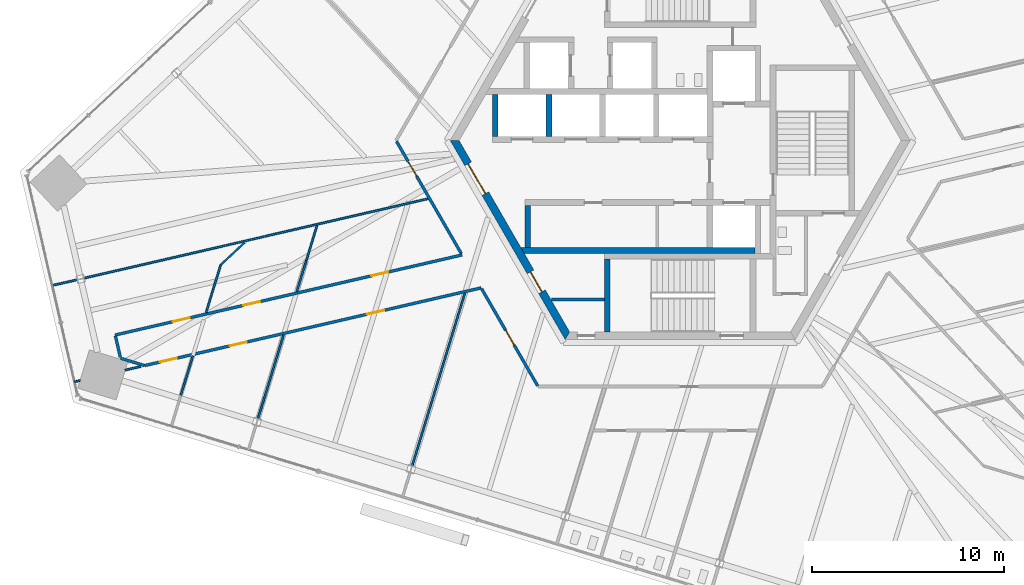
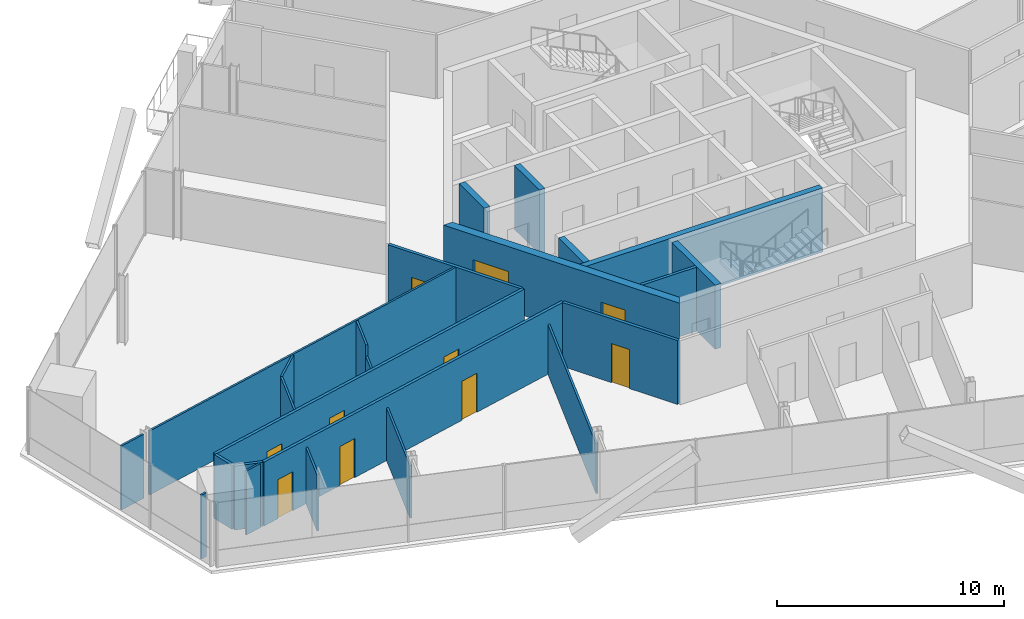
# One storey, part 11 of 19: 24 walls, 10 doors, 10 openings.
"""IFC4 building model written with IfcOpenShell, lengths in metres."""

import ifcopenshell
import ifcopenshell.guid

model = None  # the IFC model being written
_history = None  # IfcOwnerHistory: only IFC2X3 demands one
_inside = {}  # id of a spatial element -> (the spatial element, [elements in it])
_under = {}  # id of a project, library or spatial element -> (it, [spatial elements below it])
_declared = {}  # id of a project -> (the project, [libraries it declares])
_typed = {}  # id of a type object -> (the type object, [elements of that type])
_made_of = {}  # id of a material, layer set ... -> (it, [elements and type objects made of it])


def new_model(schema):
    """Start an empty IFC model of exactly this schema.

    Asked for "IFC4X3", IfcOpenShell would pick the latest addendum, in which some entities
    have other attributes; the version numbers below select the first issue.
    IFC2X3 requires an IfcOwnerHistory on every rooted entity: one is made here for all.
    """
    global model, _history
    if schema == "IFC4X3":
        model = ifcopenshell.file(schema_version=(4, 3, 0, 0))
    else:
        model = ifcopenshell.file(schema=schema)
    _inside.clear()
    _under.clear()
    _declared.clear()
    _typed.clear()
    _made_of.clear()
    _history = None
    if model.schema == "IFC2X3":
        org = make("IfcOrganization", Name="unknown")
        user = make(
            "IfcPersonAndOrganization",
            ThePerson=make("IfcPerson", FamilyName="unknown"),
            TheOrganization=org,
        )
        app = make(
            "IfcApplication",
            ApplicationDeveloper=org,
            Version="unknown",
            ApplicationFullName="unknown",
            ApplicationIdentifier="unknown",
        )
        _history = make(
            "IfcOwnerHistory",
            OwningUser=user,
            OwningApplication=app,
            ChangeAction="ADDED",
            CreationDate=0,
        )
    return model


def make(cls, **values):
    """One entity of the class cls with the attributes given. An attribute that is None is left unset."""
    return model.create_entity(
        cls, **{name: value for name, value in values.items() if value is not None}
    )


def rooted(cls, **values):
    """An entity with a GlobalId (a new one), such as an element, a storey or a relation."""
    return make(cls, GlobalId=ifcopenshell.guid.new(), OwnerHistory=_history, **values)


def si_unit(unit_type, name, prefix=None):
    """IfcSIUnit, for example si_unit("LENGTHUNIT", "METRE", prefix="MILLI")."""
    return make("IfcSIUnit", UnitType=unit_type, Prefix=prefix, Name=name)


def assignment(units):
    """IfcUnitAssignment: the units of a project."""
    return None if units is None else make("IfcUnitAssignment", Units=units)


def point(xyz):
    """IfcCartesianPoint."""
    return None if xyz is None else make("IfcCartesianPoint", Coordinates=xyz)


def direction(xyz):
    """IfcDirection."""
    return None if xyz is None else make("IfcDirection", DirectionRatios=xyz)


def frame(location, z_axis=None, x_axis=None):
    """IfcAxis2Placement3D, a coordinate frame: its origin and axes. An axis left out is left unset."""
    return make(
        "IfcAxis2Placement3D",
        Location=point(location),
        Axis=direction(z_axis),
        RefDirection=direction(x_axis),
    )


def frame_2d(location, x_axis=None):
    """IfcAxis2Placement2D, a coordinate frame in the plane: its origin and x axis."""
    return make(
        "IfcAxis2Placement2D", Location=point(location), RefDirection=direction(x_axis)
    )


def origin():
    """The frame at (0, 0, 0) with its axes left unset."""
    return frame((0.0, 0.0, 0.0))


def place(relative_to, where):
    """IfcLocalPlacement: puts the frame where relative to a parent placement (None: the world)."""
    return make(
        "IfcLocalPlacement", PlacementRelTo=relative_to, RelativePlacement=where
    )


def context(
    kind, dimensions, precision=None, world=None, true_north=None, identifier=None
):
    """IfcGeometricRepresentationContext, for example the 3D "Model" context."""
    return make(
        "IfcGeometricRepresentationContext",
        ContextIdentifier=identifier,
        ContextType=kind,
        CoordinateSpaceDimension=dimensions,
        Precision=precision,
        WorldCoordinateSystem=world,
        TrueNorth=true_north,
    )


def subcontext(parent, identifier, kind, view, scale=None):
    """IfcGeometricRepresentationSubContext, for example "Body" below "Model"."""
    return make(
        "IfcGeometricRepresentationSubContext",
        ContextIdentifier=identifier,
        ContextType=kind,
        ParentContext=parent,
        TargetScale=scale,
        TargetView=view,
    )


def project(units=None, contexts=None):
    """IfcProject with its units and contexts."""
    return rooted(
        "IfcProject",
        Name="project",
        RepresentationContexts=contexts,
        UnitsInContext=assignment(units),
    )


def spatial(cls, under=None, at=None, **own):
    """A site, building, storey or space (cls), placed at a placement, below another one or the project."""
    s = rooted(cls, ObjectPlacement=at, **own)
    if under is not None:
        _under.setdefault(under.id(), (under, []))[1].append(s)
    return s


def polyline(points):
    """IfcPolyline through the points."""
    return make("IfcPolyline", Points=[point(p) for p in points])


def profile(cls, at=None, kind="AREA", **sizes):
    """A parametric profile (cls). Its sizes go by their IFC names, for example OverallWidth=200.0."""
    return make(cls, ProfileType=kind, Position=at, **sizes)


def rectangle(**sizes):
    """IfcRectangleProfileDef."""
    return profile("IfcRectangleProfileDef", **sizes)


def outline(outer, holes=None, kind="AREA"):
    """IfcArbitraryClosedProfileDef: a profile drawn as a closed curve; with holes, ...WithVoids."""
    if holes is None:
        return make("IfcArbitraryClosedProfileDef", ProfileType=kind, OuterCurve=outer)
    return make(
        "IfcArbitraryProfileDefWithVoids",
        ProfileType=kind,
        OuterCurve=outer,
        InnerCurves=holes,
    )


def extrude(swept, where, along, depth):
    """IfcExtrudedAreaSolid: the profile swept, set in the frame where, extruded along a direction by depth."""
    return make(
        "IfcExtrudedAreaSolid",
        SweptArea=swept,
        Position=where,
        ExtrudedDirection=direction(along),
        Depth=depth,
    )


def shape(context_of_items, identifier, shape_type, items):
    """IfcShapeRepresentation: the items that make up one representation, for example the "Body"."""
    return make(
        "IfcShapeRepresentation",
        ContextOfItems=context_of_items,
        RepresentationIdentifier=identifier,
        RepresentationType=shape_type,
        Items=items,
    )


def source(mapping_origin, context_of_items, identifier, shape_type, items):
    """IfcRepresentationMap: a shape defined once, which mapped items show again and again."""
    return make(
        "IfcRepresentationMap",
        MappingOrigin=mapping_origin,
        MappedRepresentation=shape(context_of_items, identifier, shape_type, items),
    )


def transform(
    local_origin,
    x_axis=None,
    y_axis=None,
    z_axis=None,
    scale=None,
    scale2=None,
    scale3=None,
    uniform=True,
):
    """IfcCartesianTransformationOperator3D, or its non-uniform kind. x_axis, y_axis, z_axis: its Axis1, 2, 3."""
    if uniform:
        return make(
            "IfcCartesianTransformationOperator3D",
            Axis1=direction(x_axis),
            Axis2=direction(y_axis),
            LocalOrigin=point(local_origin),
            Scale=scale,
            Axis3=direction(z_axis),
        )
    return make(
        "IfcCartesianTransformationOperator3DnonUniform",
        Axis1=direction(x_axis),
        Axis2=direction(y_axis),
        LocalOrigin=point(local_origin),
        Scale=scale,
        Axis3=direction(z_axis),
        Scale2=scale2,
        Scale3=scale3,
    )


def mapped(mapping_source, mapping_target):
    """IfcMappedItem: shows the shape of a source again, moved by a transform."""
    return make(
        "IfcMappedItem", MappingSource=mapping_source, MappingTarget=mapping_target
    )


def material(Name=None, Category=None):
    """IfcMaterial."""
    return make("IfcMaterial", Name=Name, Category=Category)


def layer(
    of_material, thickness, ventilated=None, Name=None, Category=None, Priority=None
):
    """IfcMaterialLayer: one layer of a wall or slab, of a material (None: an air gap)."""
    return make(
        "IfcMaterialLayer",
        Material=of_material,
        LayerThickness=thickness,
        IsVentilated=ventilated,
        Name=Name,
        Category=Category,
        Priority=Priority,
    )


def layer_set(layers, Name=None):
    """IfcMaterialLayerSet."""
    return make("IfcMaterialLayerSet", MaterialLayers=layers, LayerSetName=Name)


def made_of(thing, what):
    """Note that an element or type object is made of a material, layer set ...; save() writes the relation."""
    if what is not None:
        _made_of.setdefault(what.id(), (what, []))[1].append(thing)
    return thing


def type_object(cls, material=None, **own):
    """A type object (cls), such as IfcWallType, which elements share."""
    return made_of(rooted(cls, **own), material)


def element(
    cls,
    number,
    at=None,
    inside=None,
    cuts=None,
    type_object=None,
    material=None,
    context=None,
    identifier="Body",
    shape_type=None,
    held_by="IfcProductDefinitionShape",
    body=None,
    shapes=None,
    **own,
):
    """One element of the class cls, such as IfcWall. Its Tag is "e" and its number.

    at: its placement. inside: the storey or other place that contains it. cuts: it is an
    opening in that element (IfcRelVoidsElement). A single representation is given by context,
    identifier, shape_type and body (its items); several are given by shapes. held_by: the class
    of the entity that holds the representations. save() writes the other relations.
    """
    e = rooted(cls, Tag="e%d" % number, ObjectPlacement=at, **own)
    if body is not None:
        shapes = [shape(context, identifier, shape_type, body)]
    if shapes is not None:
        e.Representation = make(held_by, Representations=shapes)
    if inside is not None:
        _inside.setdefault(inside.id(), (inside, []))[1].append(e)
    if cuts is not None:
        rooted(
            "IfcRelVoidsElement", RelatingBuildingElement=cuts, RelatedOpeningElement=e
        )
    if type_object is not None:
        _typed.setdefault(type_object.id(), (type_object, []))[1].append(e)
    return made_of(e, material)


def fill(opening, filler):
    """IfcRelFillsElement: the door or window that sits in an opening."""
    return rooted(
        "IfcRelFillsElement",
        RelatingOpeningElement=opening,
        RelatedBuildingElement=filler,
    )


def aggregate(whole, parts):
    """IfcRelAggregates: a whole, such as a stair, and the parts it consists of."""
    return rooted("IfcRelAggregates", RelatingObject=whole, RelatedObjects=parts)


def save(model, path):
    """Write the relations noted so far, then the file.

    IfcRelAggregates (storeys below a building ...), IfcRelContainedInSpatialStructure (elements
    in a storey), IfcRelDefinesByType, IfcRelAssociatesMaterial and IfcRelDeclares: one each for
    every whole, place, type object, material and project.
    """
    for whole, parts in _under.values():
        aggregate(whole, parts)
    for where, things in _inside.values():
        rooted(
            "IfcRelContainedInSpatialStructure",
            RelatedElements=things,
            RelatingStructure=where,
        )
    for kind, things in _typed.values():
        rooted("IfcRelDefinesByType", RelatedObjects=things, RelatingType=kind)
    for what, things in _made_of.values():
        rooted("IfcRelAssociatesMaterial", RelatedObjects=things, RelatingMaterial=what)
    for by, libraries in _declared.values():
        rooted("IfcRelDeclares", RelatingContext=by, RelatedDefinitions=libraries)
    model.write(path)


model = new_model("IFC4")

# Units and contexts
model_context = context("Model", 3, precision=1e-05, world=origin(), true_north=direction((0.0, 1.0)))
body_context = subcontext(model_context, "Body", "Model", "MODEL_VIEW")
ifc_project = project(units=[si_unit("LENGTHUNIT", "METRE"), si_unit("AREAUNIT", "SQUARE_METRE"), si_unit("VOLUMEUNIT", "CUBIC_METRE"), si_unit("PLANEANGLEUNIT", "RADIAN"), si_unit("MASSUNIT", "GRAM", prefix="KILO")], contexts=[model_context])

# Site, building, storey
site_placement = place(None, origin())
site = spatial("IfcSite", under=ifc_project, at=site_placement, CompositionType="ELEMENT")
building_placement = place(site_placement, origin())
building = spatial("IfcBuilding", under=site, at=building_placement, Name="Triune Harvest Tower", CompositionType="ELEMENT")
storey_placement = place(building_placement, frame((0.0, 0.0, 109.10009765625)))
storey = spatial("IfcBuildingStorey", under=building, at=storey_placement, Name="L27", CompositionType="ELEMENT", Elevation=109.10009765625)

# Walls
ifc_material_1 = material(Name="Gypsum board on steel studs", Category="steel")
ifc_layer_1 = layer(ifc_material_1, 0.10009765625)
ifc_layer_set_1 = layer_set([ifc_layer_1], Name="Gypsum board on steel studs")
wall_type_1 = type_object("IfcWallType", Name="Partition 100 mm", PredefinedType="PARTITIONING", material=ifc_layer_set_1)
wall_1_placement = place(storey_placement, frame((-31.61083984375, -12.5908203125, 0.0), z_axis=(0.0, 0.0, 1.0), x_axis=(0.97435083199, 0.225034344489, 0.0)))
element("IfcWall", 1, at=wall_1_placement, inside=storey, type_object=wall_type_1, Name="Partition L27 034", PredefinedType="PARTITIONING", context=body_context, shape_type="SweptSolid", body=[
    extrude(rectangle(XDim=0.305908203125, YDim=0.10009765625, at=frame_2d((0.15283203125, 0.0))), origin(), (0.0, 0.0, 1.0), 3.43994140625),
])
wall_2_placement = place(storey_placement, frame((-26.067626953125, -13.3134765625, 0.0), z_axis=(0.0, 0.0, 1.0), x_axis=(0.292324630047, 0.956319146869, 0.0)))
element("IfcWall", 2, at=wall_2_placement, inside=storey, type_object=wall_type_1, Name="Partition L27 062a", PredefinedType="PARTITIONING", context=body_context, shape_type="SweptSolid", body=[
    extrude(rectangle(XDim=2.1630859375, YDim=0.10009765625, at=frame_2d((1.08154296875, 0.0))), origin(), (0.0, 0.0, 1.0), 3.023193359375),
])
wall_3_placement = place(storey_placement, frame((-24.7412109375, -8.97509765625, 0.0), z_axis=(0.0, 0.0, 1.0), x_axis=(0.292361785575, 0.956307788495, 0.0)))
element("IfcWall", 3, at=wall_3_placement, inside=storey, type_object=wall_type_1, Name="Partition L27 063", PredefinedType="PARTITIONING", context=body_context, shape_type="SweptSolid", body=[
    extrude(rectangle(XDim=2.597900390625, YDim=0.10009765625, at=frame_2d((1.298828125, 0.0))), origin(), (0.0, 0.0, 1.0), 3.43994140625),
])

# Wall, openings, doors
ifc_material_2 = material(Name="Concrete 70 MPa", Category="concrete")
ifc_layer_2 = layer(ifc_material_2, 0.39990234375)
ifc_layer_set_2 = layer_set([ifc_layer_2], Name="Concrete 70 MPa")
wall_type_2 = type_object("IfcWallType", Name="Core wall 400", PredefinedType="SHEAR", material=ifc_layer_set_2)
shared_shape_1 = source(origin(), body_context, "Body", "SweptSolid", [
    extrude(outline(polyline([(-0.115478515625, -0.199951171875), (11.884521484375, -0.199951171875), (11.653564453125, 0.199951171875), (0.115478515625, 0.199951171875), (-0.115478515625, -0.199951171875)])), origin(), (0.0, 0.0, 1.0), 3.43994140625),
])
wall_4_placement = place(storey_placement, frame((-11.76904296875, 0.0, 0.0), z_axis=(0.0, 0.0, 1.0), x_axis=(0.499996592174, -0.866027371285, 0.0)))
wall_4 = element("IfcWall", 4, at=wall_4_placement, inside=storey, type_object=wall_type_2, Name="Hexagon 3 wall", PredefinedType="SHEAR", context=body_context, shape_type="MappedRepresentation", body=[
    mapped(shared_shape_1, transform((0.0, 0.0, 0.0), scale=1.0)),
])
opening_1_placement = place(wall_4_placement, frame((1.404541015625, 0.0, 0.0)))
opening_1 = element("IfcOpeningElement", 5, at=opening_1_placement, cuts=wall_4, Name="Opening CD-LS", PredefinedType="OPENING", context=body_context, shape_type="SweptSolid", body=[
    extrude(rectangle(XDim=1.800048828125, YDim=2.10009765625, at=frame_2d((0.89990234375, 1.050048828125))), frame((0.0, 0.2099609375, 0.0), z_axis=(0.0, -1.0, 0.0), x_axis=(1.0, 0.0, 0.0)), (0.0, 0.0, 1.0), 0.419921875),
])
opening_2_placement = place(wall_4_placement, frame((7.91455078125, 0.0, 0.0)))
opening_2 = element("IfcOpeningElement", 6, at=opening_2_placement, cuts=wall_4, Name="Opening CD-SWP", PredefinedType="OPENING", context=body_context, shape_type="SweptSolid", body=[
    extrude(rectangle(XDim=1.199951171875, YDim=2.10009765625, at=frame_2d((0.60009765625, 1.050048828125))), frame((0.0, 0.2099609375, 0.0), z_axis=(0.0, -1.0, 0.0), x_axis=(1.0, 0.0, 0.0)), (0.0, 0.0, 1.0), 0.419921875),
])
ifc_material_3 = material(Name="Steel S235", Category="steel")
door_type_1 = type_object("IfcDoorType", Name="Lobby door 1800 FD120", OperationType="DOUBLE_DOOR_DOUBLE_SWING", PredefinedType="DOOR", material=ifc_material_3)
door_1_placement = place(opening_1_placement, frame((1.800048828125, 0.0, 0.0), z_axis=(0.0, 0.0, 1.0), x_axis=(-1.0, 0.0, 0.0)))
door_1 = element("IfcDoor", 7, at=door_1_placement, inside=storey, type_object=door_type_1, Name="Door CD-LS", OperationType="DOUBLE_DOOR_DOUBLE_SWING", OverallHeight=2.10009765625, OverallWidth=1.800048828125, PredefinedType="DOOR", context=body_context, shape_type="SweptSolid", body=[
    extrude(rectangle(XDim=1.800048828125, YDim=2.10009765625, at=frame_2d((0.89990234375, 1.050048828125))), frame((0.0, 0.02490234375, 0.0), z_axis=(0.0, -1.0, 0.0), x_axis=(1.0, 0.0, 0.0)), (0.0, 0.0, 1.0), 0.050048828125),
])
fill(opening_1, door_1)
ifc_material_4 = material(Name="Steel S235", Category="steel")
door_type_2 = type_object("IfcDoorType", Name="Service door 1200 FD120", OperationType="SINGLE_SWING_LEFT", PredefinedType="DOOR", material=ifc_material_4)
door_2_placement = place(opening_2_placement, frame((1.199951171875, 0.0, 0.0), z_axis=(0.0, 0.0, 1.0), x_axis=(-1.0, 0.0, 0.0)))
door_2 = element("IfcDoor", 8, at=door_2_placement, inside=storey, type_object=door_type_2, Name="Door CD-SWP", OperationType="SINGLE_SWING_RIGHT", OverallHeight=2.10009765625, OverallWidth=1.199951171875, PredefinedType="DOOR", context=body_context, shape_type="SweptSolid", body=[
    extrude(rectangle(XDim=1.199951171875, YDim=2.10009765625, at=frame_2d((0.60009765625, 1.050048828125))), frame((0.0, 0.02490234375, 0.0), z_axis=(0.0, -1.0, 0.0), x_axis=(1.0, 0.0, 0.0)), (0.0, 0.0, 1.0), 0.050048828125),
])
fill(opening_2, door_2)

# Walls
ifc_material_5 = material(Name="Concrete 70 MPa", Category="concrete")
ifc_layer_3 = layer(ifc_material_5, 0.300048828125)
ifc_layer_set_3 = layer_set([ifc_layer_3], Name="Concrete 70 MPa")
wall_type_3 = type_object("IfcWallType", Name="Core wall 300", PredefinedType="SHEAR", material=ifc_layer_set_3)
shared_shape_2 = source(origin(), body_context, "Body", "SweptSolid", [
    extrude(outline(polyline([(12.0, -0.14990234375), (-0.039794921875, -0.14990234375), (-0.212890625, 0.14990234375), (12.0, 0.14990234375), (12.0, -0.14990234375)])), origin(), (0.0, 0.0, 1.0), 3.43994140625),
])
wall_5_placement = place(storey_placement, frame((-8.10009765625, -5.739990234375, 0.0), z_axis=(0.0, 0.0, 1.0), x_axis=(1.0, 0.0, 0.0)))
element("IfcWall", 9, at=wall_5_placement, inside=storey, type_object=wall_type_3, Name="South back wall", PredefinedType="SHEAR", context=body_context, shape_type="MappedRepresentation", body=[
    mapped(shared_shape_2, transform((0.0, 0.0, 0.0), scale=1.0)),
])
shared_shape_3 = source(origin(), body_context, "Body", "SweptSolid", [
    extrude(rectangle(XDim=2.2001953125, YDim=0.300048828125, at=frame_2d((1.10009765625, 0.0))), origin(), (0.0, 0.0, 1.0), 3.43994140625),
])
wall_6_placement = place(storey_placement, frame((-7.949951171875, -5.590087890625, 0.0), z_axis=(0.0, 0.0, 1.0), x_axis=(0.0, 1.0, 0.0)))
element("IfcWall", 10, at=wall_6_placement, inside=storey, type_object=wall_type_3, Name="South end west wall", PredefinedType="SHEAR", context=body_context, shape_type="MappedRepresentation", body=[
    mapped(shared_shape_3, transform((0.0, 0.0, 0.0), scale=1.0)),
])
shared_shape_4 = source(origin(), body_context, "Body", "SweptSolid", [
    extrude(rectangle(XDim=2.199951171875, YDim=0.300048828125, at=frame_2d((1.10009765625, 0.0))), origin(), (0.0, 0.0, 1.0), 3.43994140625),
])
for number, where, z_axis, x_axis, name in (
    (11, (-9.64990234375, 0.2099609375, 0.0), (0.0, 0.0, 1.0), (0.0, 1.0, 0.0), "North end west wall"),
    (12, (-6.85009765625, 0.2099609375, 0.0), (0.0, 0.0, 1.0), (0.0, 1.0, 0.0), "North cross 1 wall"),
):
    element("IfcWall", number, at=place(storey_placement, frame(where, z_axis=z_axis, x_axis=x_axis)), inside=storey, type_object=wall_type_3, Name=name, PredefinedType="SHEAR", context=body_context, shape_type="MappedRepresentation", body=[
        mapped(shared_shape_4, transform((0.0, 0.0, 0.0), scale=1.0)),
    ])
shared_shape_5 = source(origin(), body_context, "Body", "SweptSolid", [
    extrude(outline(polyline([(3.800048828125, -0.14990234375), (-0.00439453125, -0.14990234375), (-0.00439453125, 0.14990234375), (3.800048828125, 0.14990234375), (3.800048828125, -0.14990234375)])), origin(), (0.0, 0.0, 1.0), 3.43994140625),
])
wall_7_placement = place(storey_placement, frame((-3.800048828125, -9.989990234375, 0.0), z_axis=(0.0, 0.0, 1.0), x_axis=(0.0, 1.0, 0.0)))
element("IfcWall", 13, at=wall_7_placement, inside=storey, type_object=wall_type_3, Name="Stair s west wall", PredefinedType="SHEAR", context=body_context, shape_type="MappedRepresentation", body=[
    mapped(shared_shape_5, transform((0.0, 0.0, 0.0), scale=1.0)),
])
ifc_material_6 = material(Name="Concrete masonry unit", Category="masonry")
ifc_layer_4 = layer(ifc_material_6, 0.14990234375)
ifc_layer_set_4 = layer_set([ifc_layer_4], Name="Concrete masonry unit")
wall_type_4 = type_object("IfcWallType", Name="Block partition 150", PredefinedType="PARTITIONING", material=ifc_layer_set_4)
shared_shape_6 = source(origin(), body_context, "Body", "SweptSolid", [
    extrude(rectangle(XDim=2.777099609375, YDim=0.14990234375, at=frame_2d((1.388671875, 0.0))), origin(), (0.0, 0.0, 1.0), 3.43994140625),
])
wall_8_placement = place(storey_placement, frame((-6.72705078125, -8.300048828125, 0.0), z_axis=(0.0, 0.0, 1.0), x_axis=(1.0, 0.0, 0.0)))
element("IfcWall", 14, at=wall_8_placement, inside=storey, type_object=wall_type_4, Name="Sw part wall", PredefinedType="PARTITIONING", context=body_context, shape_type="MappedRepresentation", body=[
    mapped(shared_shape_6, transform((0.0, 0.0, 0.0), scale=1.0)),
])
shared_shape_7 = source(origin(), body_context, "Body", "SweptSolid", [
    extrude(rectangle(XDim=1.338134765625, YDim=0.10009765625, at=frame_2d((0.6689453125, 0.0))), origin(), (0.0, 0.0, 1.0), 3.43994140625),
])
wall_9_placement = place(storey_placement, frame((-32.770751953125, -7.565673828125, 0.0), z_axis=(0.0, 0.0, 1.0), x_axis=(0.974363511026, 0.224979439906, 0.0)))
element("IfcWall", 15, at=wall_9_placement, inside=storey, type_object=wall_type_1, Name="Partition L27 041", PredefinedType="PARTITIONING", context=body_context, shape_type="MappedRepresentation", body=[
    mapped(shared_shape_7, transform((0.0, 0.0, 0.0), scale=1.0)),
])
ifc_material_7 = material(Name="Gypsum board on steel studs", Category="steel")
ifc_layer_5 = layer(ifc_material_7, 0.14990234375)
ifc_layer_set_5 = layer_set([ifc_layer_5], Name="Gypsum board on steel studs")
wall_type_5 = type_object("IfcWallType", Name="Fire Partition 150 mm", PredefinedType="PARTITIONING", material=ifc_layer_set_5)
shared_shape_8 = source(origin(), body_context, "Body", "SweptSolid", [
    extrude(rectangle(XDim=1.144287109375, YDim=0.14990234375, at=frame_2d((0.572265625, 0.0))), origin(), (0.0, 0.0, 1.0), 3.43994140625),
])
wall_10_placement = place(storey_placement, frame((-29.475341796875, -10.19921875, 0.0), z_axis=(0.0, 0.0, 1.0), x_axis=(0.225077639039, -0.974340831745, 0.0)))
element("IfcWall", 16, at=wall_10_placement, inside=storey, type_object=wall_type_5, Name="Partition L27 001", PredefinedType="PARTITIONING", context=body_context, shape_type="MappedRepresentation", body=[
    mapped(shared_shape_8, transform((0.0, 0.0, 0.0), scale=1.0)),
])
shared_shape_9 = source(origin(), body_context, "Body", "SweptSolid", [
    extrude(rectangle(XDim=1.291259765625, YDim=0.14990234375, at=frame_2d((0.6455078125, 0.0))), origin(), (0.0, 0.0, 1.0), 3.43994140625),
])
wall_11_placement = place(storey_placement, frame((-29.20654296875, -11.36279296875, 0.0), z_axis=(0.0, 0.0, 1.0), x_axis=(0.956272282216, -0.292477900472, 0.0)))
element("IfcWall", 17, at=wall_11_placement, inside=storey, type_object=wall_type_5, Name="Partition L27 023", PredefinedType="PARTITIONING", context=body_context, shape_type="MappedRepresentation", body=[
    mapped(shared_shape_9, transform((0.0, 0.0, 0.0), scale=1.0)),
])

# Wall, opening, door
shared_shape_10 = source(origin(), body_context, "Body", "SweptSolid", [
    extrude(rectangle(XDim=6.764404296875, YDim=0.14990234375, at=frame_2d((3.38232421875, 0.0))), origin(), (0.0, 0.0, 1.0), 3.43994140625),
])
wall_12_placement = place(storey_placement, frame((-14.80419921875, -0.043212890625, 0.0), z_axis=(0.0, 0.0, 1.0), x_axis=(0.50001300079, -0.866017897644, 0.0)))
wall_12 = element("IfcWall", 18, at=wall_12_placement, inside=storey, type_object=wall_type_5, Name="Partition L27 004", PredefinedType="PARTITIONING", context=body_context, shape_type="MappedRepresentation", body=[
    mapped(shared_shape_10, transform((0.0, 0.0, 0.0), scale=1.0)),
])
opening_3_placement = place(wall_12_placement, frame((1.2001953125, 0.0, 0.0)))
opening_3 = element("IfcOpeningElement", 19, at=opening_3_placement, cuts=wall_12, Name="Opening L27-014", PredefinedType="OPENING", context=body_context, shape_type="SweptSolid", body=[
    extrude(rectangle(XDim=0.89990234375, YDim=2.10009765625, at=frame_2d((0.449951171875, 1.050048828125))), frame((0.0, 0.0849609375, 0.0), z_axis=(0.0, -1.0, 0.0), x_axis=(1.0, 0.0, 0.0)), (0.0, 0.0, 1.0), 0.169921875),
])
ifc_material_8 = material(Name="Timber and steel door set", Category="steel")
door_type_3 = type_object("IfcDoorType", Name="Single leaf door FD30 right hand 900 x 2100", OperationType="SINGLE_SWING_RIGHT", PredefinedType="DOOR", material=ifc_material_8)
door_3_placement = place(opening_3_placement, origin())
door_3 = element("IfcDoor", 20, at=door_3_placement, inside=storey, type_object=door_type_3, Name="Door L27-014 Phone room 27.14", OperationType="SINGLE_SWING_RIGHT", OverallHeight=2.10009765625, OverallWidth=0.89990234375, PredefinedType="DOOR", context=body_context, shape_type="SweptSolid", body=[
    extrude(rectangle(XDim=0.89990234375, YDim=2.10009765625, at=frame_2d((0.449951171875, 1.050048828125))), frame((0.0, 0.02490234375, 0.0), z_axis=(0.0, -1.0, 0.0), x_axis=(1.0, 0.0, 0.0)), (0.0, 0.0, 1.0), 0.050048828125),
])
fill(opening_3, door_3)

shared_shape_11 = source(origin(), body_context, "Body", "SweptSolid", [
    extrude(rectangle(XDim=5.85791015625, YDim=0.14990234375, at=frame_2d((2.928955078125, 0.0))), origin(), (0.0, 0.0, 1.0), 3.43994140625),
])
wall_13_placement = place(storey_placement, frame((-10.363525390625, -7.734619140625, 0.0), z_axis=(0.0, 0.0, 1.0), x_axis=(0.500007463099, -0.866021094919, 0.0)))
wall_13 = element("IfcWall", 21, at=wall_13_placement, inside=storey, type_object=wall_type_5, Name="Partition L27 005", PredefinedType="PARTITIONING", context=body_context, shape_type="MappedRepresentation", body=[
    mapped(shared_shape_11, transform((0.0, 0.0, 0.0), scale=1.0)),
])
opening_4_placement = place(wall_13_placement, frame((2.5, 0.0, 0.0)))
opening_4 = element("IfcOpeningElement", 22, at=opening_4_placement, cuts=wall_13, Name="Opening L27-021", PredefinedType="OPENING", context=body_context, shape_type="SweptSolid", body=[
    extrude(rectangle(XDim=0.89990234375, YDim=2.10009765625, at=frame_2d((0.449951171875, 1.050048828125))), frame((0.0, 0.0849609375, 0.0), z_axis=(0.0, -1.0, 0.0), x_axis=(1.0, 0.0, 0.0)), (0.0, 0.0, 1.0), 0.169921875),
])
ifc_material_9 = material(Name="Timber and steel door set", Category="steel")
door_type_4 = type_object("IfcDoorType", Name="Single leaf door FD30 left hand 900 x 2100", OperationType="SINGLE_SWING_LEFT", PredefinedType="DOOR", material=ifc_material_9)
door_4_placement = place(opening_4_placement, origin())
door_4 = element("IfcDoor", 23, at=door_4_placement, inside=storey, type_object=door_type_4, Name="Door L27-021 Project Room 27.21", OperationType="SINGLE_SWING_LEFT", OverallHeight=2.10009765625, OverallWidth=0.89990234375, PredefinedType="DOOR", context=body_context, shape_type="SweptSolid", body=[
    extrude(rectangle(XDim=0.89990234375, YDim=2.10009765625, at=frame_2d((0.449951171875, 1.050048828125))), frame((0.0, 0.02490234375, 0.0), z_axis=(0.0, -1.0, 0.0), x_axis=(1.0, 0.0, 0.0)), (0.0, 0.0, 1.0), 0.050048828125),
])
fill(opening_4, door_4)

# Wall, openings, doors
shared_shape_12 = source(origin(), body_context, "Body", "SweptSolid", [
    extrude(rectangle(XDim=18.5810546875, YDim=0.14990234375, at=frame_2d((9.29052734375, 0.0))), origin(), (0.0, 0.0, 1.0), 3.43994140625),
])
wall_14_placement = place(storey_placement, frame((-29.486572265625, -10.150390625, 0.0), z_axis=(0.0, 0.0, 1.0), x_axis=(0.97436860305, 0.22495738572, 0.0)))
wall_14 = element("IfcWall", 24, at=wall_14_placement, inside=storey, type_object=wall_type_5, Name="Partition L27 038", PredefinedType="PARTITIONING", context=body_context, shape_type="MappedRepresentation", body=[
    mapped(shared_shape_12, transform((0.0, 0.0, 0.0), scale=1.0)),
])
opening_5_placement = place(wall_14_placement, frame((3.093017578125, 0.0, 0.0)))
opening_5 = element("IfcOpeningElement", 25, at=opening_5_placement, cuts=wall_14, Name="Opening L27-015", PredefinedType="OPENING", context=body_context, shape_type="SweptSolid", body=[
    extrude(rectangle(XDim=0.89990234375, YDim=2.10009765625, at=frame_2d((0.449951171875, 1.050048828125))), frame((0.0, 0.0849609375, 0.0), z_axis=(0.0, -1.0, 0.0), x_axis=(1.0, 0.0, 0.0)), (0.0, 0.0, 1.0), 0.169921875),
])
opening_6_placement = place(wall_14_placement, frame((6.851318359375, 0.0, 0.0)))
opening_6 = element("IfcOpeningElement", 26, at=opening_6_placement, cuts=wall_14, Name="Opening L27-018", PredefinedType="OPENING", context=body_context, shape_type="SweptSolid", body=[
    extrude(rectangle(XDim=0.89990234375, YDim=2.10009765625, at=frame_2d((0.449951171875, 1.050048828125))), frame((0.0, 0.0849609375, 0.0), z_axis=(0.0, -1.0, 0.0), x_axis=(1.0, 0.0, 0.0)), (0.0, 0.0, 1.0), 0.169921875),
])
opening_7_placement = place(wall_14_placement, frame((13.730712890625, 0.0, 0.0)))
opening_7 = element("IfcOpeningElement", 27, at=opening_7_placement, cuts=wall_14, Name="Opening L27-020", PredefinedType="OPENING", context=body_context, shape_type="SweptSolid", body=[
    extrude(rectangle(XDim=0.89990234375, YDim=2.10009765625, at=frame_2d((0.449951171875, 1.050048828125))), frame((0.0, 0.0849609375, 0.0), z_axis=(0.0, -1.0, 0.0), x_axis=(1.0, 0.0, 0.0)), (0.0, 0.0, 1.0), 0.169921875),
])
door_5_placement = place(opening_5_placement, origin())
door_5 = element("IfcDoor", 28, at=door_5_placement, inside=storey, type_object=door_type_4, Name="Door L27-015 Reception 27.15", OperationType="SINGLE_SWING_LEFT", OverallHeight=2.10009765625, OverallWidth=0.89990234375, PredefinedType="DOOR", context=body_context, shape_type="SweptSolid", body=[
    extrude(rectangle(XDim=0.89990234375, YDim=2.10009765625, at=frame_2d((0.449951171875, 1.050048828125))), frame((0.0, 0.02490234375, 0.0), z_axis=(0.0, -1.0, 0.0), x_axis=(1.0, 0.0, 0.0)), (0.0, 0.0, 1.0), 0.050048828125),
])
fill(opening_5, door_5)
door_6_placement = place(opening_6_placement, origin())
door_6 = element("IfcDoor", 29, at=door_6_placement, inside=storey, type_object=door_type_4, Name="Door L27-018 Office 27.18", OperationType="SINGLE_SWING_LEFT", OverallHeight=2.10009765625, OverallWidth=0.89990234375, PredefinedType="DOOR", context=body_context, shape_type="SweptSolid", body=[
    extrude(rectangle(XDim=0.89990234375, YDim=2.10009765625, at=frame_2d((0.449951171875, 1.050048828125))), frame((0.0, 0.02490234375, 0.0), z_axis=(0.0, -1.0, 0.0), x_axis=(1.0, 0.0, 0.0)), (0.0, 0.0, 1.0), 0.050048828125),
])
fill(opening_6, door_6)
door_7_placement = place(opening_7_placement, origin())
door_7 = element("IfcDoor", 30, at=door_7_placement, inside=storey, type_object=door_type_3, Name="Door L27-020 Open Office 27.20", OperationType="SINGLE_SWING_RIGHT", OverallHeight=2.10009765625, OverallWidth=0.89990234375, PredefinedType="DOOR", context=body_context, shape_type="SweptSolid", body=[
    extrude(rectangle(XDim=0.89990234375, YDim=2.10009765625, at=frame_2d((0.449951171875, 1.050048828125))), frame((0.0, 0.02490234375, 0.0), z_axis=(0.0, -1.0, 0.0), x_axis=(1.0, 0.0, 0.0)), (0.0, 0.0, 1.0), 0.050048828125),
])
fill(opening_7, door_7)

# Walls
shared_shape_13 = source(origin(), body_context, "Body", "SweptSolid", [
    extrude(rectangle(XDim=9.421875, YDim=0.10009765625, at=frame_2d((4.7109375, 0.0))), origin(), (0.0, 0.0, 1.0), 2.682861328125),
])
wall_15_placement = place(storey_placement, frame((-13.9892578125, -16.976806640625, 0.0), z_axis=(0.0, 0.0, 1.0), x_axis=(0.292364677852, 0.956306904265, 0.0)))
element("IfcWall", 31, at=wall_15_placement, inside=storey, type_object=wall_type_1, Name="Partition L27 058", PredefinedType="PARTITIONING", context=body_context, shape_type="MappedRepresentation", body=[
    mapped(shared_shape_13, transform((0.0, 0.0, 0.0), scale=1.0)),
])
shared_shape_14 = source(origin(), body_context, "Body", "SweptSolid", [
    extrude(rectangle(XDim=0.8466796875, YDim=0.10009765625, at=frame_2d((0.42333984375, 0.0))), origin(), (0.0, 0.0, 1.0), 3.43994140625),
])
wall_16_placement = place(storey_placement, frame((-28.972412109375, -11.981689453125, 0.0), z_axis=(0.0, 0.0, 1.0), x_axis=(0.974376613524, 0.224922686756, 0.0)))
element("IfcWall", 32, at=wall_16_placement, inside=storey, type_object=wall_type_1, Name="Partition L27 035", PredefinedType="PARTITIONING", context=body_context, shape_type="MappedRepresentation", body=[
    mapped(shared_shape_14, transform((0.0, 0.0, 0.0), scale=1.0)),
])

# Wall, openings, doors
shared_shape_15 = source(origin(), body_context, "Body", "SweptSolid", [
    extrude(rectangle(XDim=18.0263671875, YDim=0.14990234375, at=frame_2d((9.01318359375, 0.0))), origin(), (0.0, 0.0, 1.0), 3.43994140625),
])
wall_17_placement = place(storey_placement, frame((-27.95263671875, -11.74609375, 0.0), z_axis=(0.0, 0.0, 1.0), x_axis=(0.974371789898, 0.224943581931, 0.0)))
wall_17 = element("IfcWall", 33, at=wall_17_placement, inside=storey, type_object=wall_type_5, Name="Partition L27 036", PredefinedType="PARTITIONING", context=body_context, shape_type="MappedRepresentation", body=[
    mapped(shared_shape_15, transform((0.0, 0.0, 0.0), scale=1.0)),
])
opening_8_placement = place(wall_17_placement, frame((0.829833984375, 0.0, 0.0)))
opening_8 = element("IfcOpeningElement", 34, at=opening_8_placement, cuts=wall_17, Name="Opening L27-016", PredefinedType="OPENING", context=body_context, shape_type="SweptSolid", body=[
    extrude(rectangle(XDim=0.89990234375, YDim=2.10009765625, at=frame_2d((0.449951171875, 1.050048828125))), frame((0.0, 0.0849609375, 0.0), z_axis=(0.0, -1.0, 0.0), x_axis=(1.0, 0.0, 0.0)), (0.0, 0.0, 1.0), 0.169921875),
])
opening_9_placement = place(wall_17_placement, frame((4.560546875, 0.0, 0.0)))
opening_9 = element("IfcOpeningElement", 35, at=opening_9_placement, cuts=wall_17, Name="Opening L27-017", PredefinedType="OPENING", context=body_context, shape_type="SweptSolid", body=[
    extrude(rectangle(XDim=0.89990234375, YDim=2.10009765625, at=frame_2d((0.449951171875, 1.050048828125))), frame((0.0, 0.0849609375, 0.0), z_axis=(0.0, -1.0, 0.0), x_axis=(1.0, 0.0, 0.0)), (0.0, 0.0, 1.0), 0.169921875),
])
opening_10_placement = place(wall_17_placement, frame((11.918701171875, 0.0, 0.0)))
opening_10 = element("IfcOpeningElement", 36, at=opening_10_placement, cuts=wall_17, Name="Opening L27-019", PredefinedType="OPENING", context=body_context, shape_type="SweptSolid", body=[
    extrude(rectangle(XDim=0.89990234375, YDim=2.10009765625, at=frame_2d((0.449951171875, 1.050048828125))), frame((0.0, 0.0849609375, 0.0), z_axis=(0.0, -1.0, 0.0), x_axis=(1.0, 0.0, 0.0)), (0.0, 0.0, 1.0), 0.169921875),
])
door_8_placement = place(opening_10_placement, origin())
door_8 = element("IfcDoor", 37, at=door_8_placement, inside=storey, type_object=door_type_4, Name="Door L27-019 Open Office 27.19", OperationType="SINGLE_SWING_LEFT", OverallHeight=2.10009765625, OverallWidth=0.89990234375, PredefinedType="DOOR", context=body_context, shape_type="SweptSolid", body=[
    extrude(rectangle(XDim=0.89990234375, YDim=2.10009765625, at=frame_2d((0.449951171875, 1.050048828125))), frame((0.0, 0.02490234375, 0.0), z_axis=(0.0, -1.0, 0.0), x_axis=(1.0, 0.0, 0.0)), (0.0, 0.0, 1.0), 0.050048828125),
])
fill(opening_10, door_8)
door_9_placement = place(opening_8_placement, origin())
door_9 = element("IfcDoor", 38, at=door_9_placement, inside=storey, type_object=door_type_3, Name="Door L27-016 Office 27.16", OperationType="SINGLE_SWING_RIGHT", OverallHeight=2.10009765625, OverallWidth=0.89990234375, PredefinedType="DOOR", context=body_context, shape_type="SweptSolid", body=[
    extrude(rectangle(XDim=0.89990234375, YDim=2.10009765625, at=frame_2d((0.449951171875, 1.050048828125))), frame((0.0, 0.02490234375, 0.0), z_axis=(0.0, -1.0, 0.0), x_axis=(1.0, 0.0, 0.0)), (0.0, 0.0, 1.0), 0.050048828125),
])
fill(opening_8, door_9)
door_10_placement = place(opening_9_placement, origin())
door_10 = element("IfcDoor", 39, at=door_10_placement, inside=storey, type_object=door_type_3, Name="Door L27-017 Office 27.17", OperationType="SINGLE_SWING_RIGHT", OverallHeight=2.10009765625, OverallWidth=0.89990234375, PredefinedType="DOOR", context=body_context, shape_type="SweptSolid", body=[
    extrude(rectangle(XDim=0.89990234375, YDim=2.10009765625, at=frame_2d((0.449951171875, 1.050048828125))), frame((0.0, 0.02490234375, 0.0), z_axis=(0.0, -1.0, 0.0), x_axis=(1.0, 0.0, 0.0)), (0.0, 0.0, 1.0), 0.050048828125),
])
fill(opening_9, door_10)

# Walls
shared_shape_16 = source(origin(), body_context, "Body", "SweptSolid", [
    extrude(rectangle(XDim=18.504638671875, YDim=0.10009765625, at=frame_2d((9.25244140625, 0.0))), origin(), (0.0, 0.0, 1.0), 3.43994140625),
])
wall_18_placement = place(storey_placement, frame((-31.115234375, -7.18359375, 0.0), z_axis=(0.0, 0.0, 1.0), x_axis=(0.974370289339, 0.224950081693, 0.0)))
element("IfcWall", 40, at=wall_18_placement, inside=storey, type_object=wall_type_1, Name="Partition L27 042", PredefinedType="PARTITIONING", context=body_context, shape_type="MappedRepresentation", body=[
    mapped(shared_shape_16, transform((0.0, 0.0, 0.0), scale=1.0)),
])
shared_shape_17 = source(origin(), body_context, "Body", "SweptSolid", [
    extrude(rectangle(XDim=1.708984375, YDim=0.10009765625, at=frame_2d((0.8544921875, 0.0))), origin(), (0.0, 0.0, 1.0), 3.43994140625),
])
wall_19_placement = place(storey_placement, frame((-23.981689453125, -6.490478515625, 0.0), z_axis=(0.0, 0.0, 1.0), x_axis=(0.731387704417, 0.681961894704, 0.0)))
element("IfcWall", 41, at=wall_19_placement, inside=storey, type_object=wall_type_1, Name="Partition L27 046", PredefinedType="PARTITIONING", context=body_context, shape_type="MappedRepresentation", body=[
    mapped(shared_shape_17, transform((0.0, 0.0, 0.0), scale=1.0)),
])
shared_shape_18 = source(origin(), body_context, "Body", "SweptSolid", [
    extrude(rectangle(XDim=4.563720703125, YDim=0.10009765625, at=frame_2d((2.28173828125, 0.0))), origin(), (0.0, 0.0, 1.0), 2.82763671875),
])
wall_20_placement = place(storey_placement, frame((-22.035888671875, -14.5166015625, 0.0), z_axis=(0.0, 0.0, 1.0), x_axis=(0.292359881687, 0.956308370548, 0.0)))
element("IfcWall", 42, at=wall_20_placement, inside=storey, type_object=wall_type_1, Name="Partition L27 060", PredefinedType="PARTITIONING", context=body_context, shape_type="MappedRepresentation", body=[
    mapped(shared_shape_18, transform((0.0, 0.0, 0.0), scale=1.0)),
])
shared_shape_19 = source(origin(), body_context, "Body", "SweptSolid", [
    extrude(rectangle(XDim=1.6796875, YDim=0.10009765625, at=frame_2d((0.83984375, 0.0))), origin(), (0.0, 0.0, 1.0), 2.82763671875),
])
wall_21_placement = place(storey_placement, frame((-20.007568359375, -7.882080078125, 0.0), z_axis=(0.0, 0.0, 1.0), x_axis=(0.292277614447, 0.956333517186, 0.0)))
element("IfcWall", 43, at=wall_21_placement, inside=storey, type_object=wall_type_1, Name="Partition L27 061", PredefinedType="PARTITIONING", context=body_context, shape_type="MappedRepresentation", body=[
    mapped(shared_shape_19, transform((0.0, 0.0, 0.0), scale=1.0)),
])
shared_shape_20 = source(origin(), body_context, "Body", "SweptSolid", [
    extrude(rectangle(XDim=1.921630859375, YDim=0.10009765625, at=frame_2d((0.9609375, 0.0))), origin(), (0.0, 0.0, 1.0), 3.43994140625),
])
wall_22_placement = place(storey_placement, frame((-19.5166015625, -6.275634765625, 0.0), z_axis=(0.0, 0.0, 1.0), x_axis=(0.292344418491, 0.956313097776, 0.0)))
element("IfcWall", 44, at=wall_22_placement, inside=storey, type_object=wall_type_1, Name="Partition L27 061a", PredefinedType="PARTITIONING", context=body_context, shape_type="MappedRepresentation", body=[
    mapped(shared_shape_20, transform((0.0, 0.0, 0.0), scale=1.0)),
])

save(model, "model.ifc")
